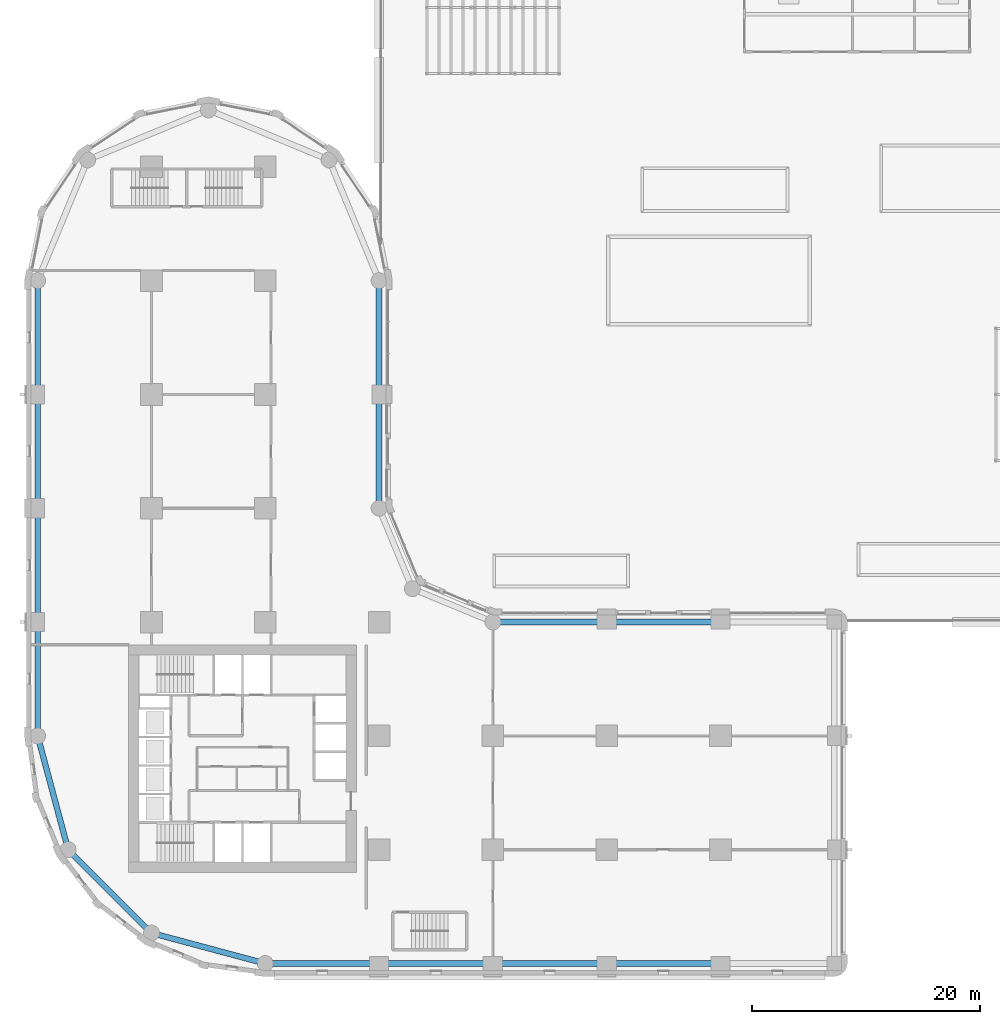
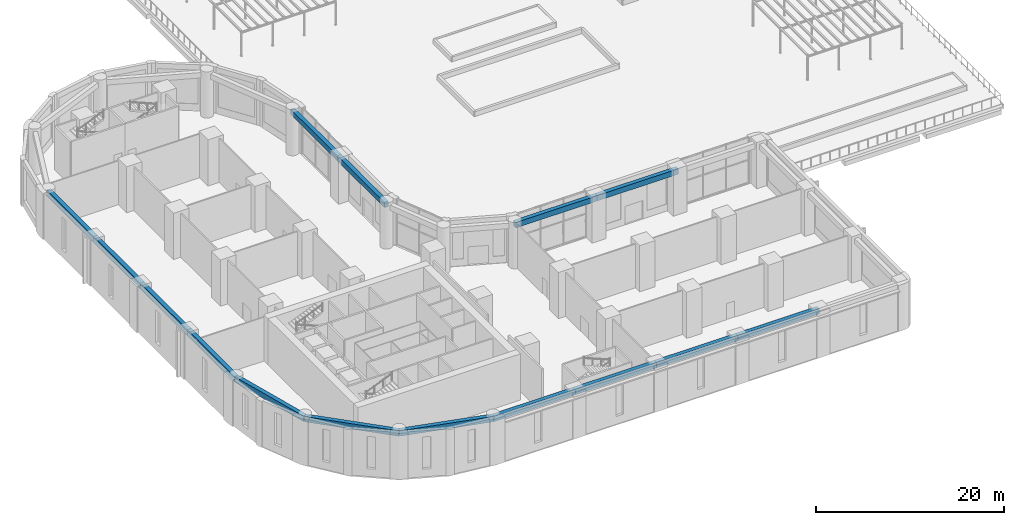
# One storey, part 5 of 28: 15 beams.
"""IFC4 building model written with IfcOpenShell, lengths in metres."""

import ifcopenshell
import ifcopenshell.guid

model = None  # the IFC model being written
_history = None  # IfcOwnerHistory: only IFC2X3 demands one
_inside = {}  # id of a spatial element -> (the spatial element, [elements in it])
_under = {}  # id of a project, library or spatial element -> (it, [spatial elements below it])
_declared = {}  # id of a project -> (the project, [libraries it declares])
_typed = {}  # id of a type object -> (the type object, [elements of that type])
_made_of = {}  # id of a material, layer set ... -> (it, [elements and type objects made of it])


def new_model(schema):
    """Start an empty IFC model of exactly this schema.

    Asked for "IFC4X3", IfcOpenShell would pick the latest addendum, in which some entities
    have other attributes; the version numbers below select the first issue.
    IFC2X3 requires an IfcOwnerHistory on every rooted entity: one is made here for all.
    """
    global model, _history
    if schema == "IFC4X3":
        model = ifcopenshell.file(schema_version=(4, 3, 0, 0))
    else:
        model = ifcopenshell.file(schema=schema)
    _inside.clear()
    _under.clear()
    _declared.clear()
    _typed.clear()
    _made_of.clear()
    _history = None
    if model.schema == "IFC2X3":
        org = make("IfcOrganization", Name="unknown")
        user = make(
            "IfcPersonAndOrganization",
            ThePerson=make("IfcPerson", FamilyName="unknown"),
            TheOrganization=org,
        )
        app = make(
            "IfcApplication",
            ApplicationDeveloper=org,
            Version="unknown",
            ApplicationFullName="unknown",
            ApplicationIdentifier="unknown",
        )
        _history = make(
            "IfcOwnerHistory",
            OwningUser=user,
            OwningApplication=app,
            ChangeAction="ADDED",
            CreationDate=0,
        )
    return model


def make(cls, **values):
    """One entity of the class cls with the attributes given. An attribute that is None is left unset."""
    return model.create_entity(
        cls, **{name: value for name, value in values.items() if value is not None}
    )


def rooted(cls, **values):
    """An entity with a GlobalId (a new one), such as an element, a storey or a relation."""
    return make(cls, GlobalId=ifcopenshell.guid.new(), OwnerHistory=_history, **values)


def si_unit(unit_type, name, prefix=None):
    """IfcSIUnit, for example si_unit("LENGTHUNIT", "METRE", prefix="MILLI")."""
    return make("IfcSIUnit", UnitType=unit_type, Prefix=prefix, Name=name)


def assignment(units):
    """IfcUnitAssignment: the units of a project."""
    return None if units is None else make("IfcUnitAssignment", Units=units)


def point(xyz):
    """IfcCartesianPoint."""
    return None if xyz is None else make("IfcCartesianPoint", Coordinates=xyz)


def direction(xyz):
    """IfcDirection."""
    return None if xyz is None else make("IfcDirection", DirectionRatios=xyz)


def frame(location, z_axis=None, x_axis=None):
    """IfcAxis2Placement3D, a coordinate frame: its origin and axes. An axis left out is left unset."""
    return make(
        "IfcAxis2Placement3D",
        Location=point(location),
        Axis=direction(z_axis),
        RefDirection=direction(x_axis),
    )


def frame_2d(location, x_axis=None):
    """IfcAxis2Placement2D, a coordinate frame in the plane: its origin and x axis."""
    return make(
        "IfcAxis2Placement2D", Location=point(location), RefDirection=direction(x_axis)
    )


def origin():
    """The frame at (0, 0, 0) with its axes left unset."""
    return frame((0.0, 0.0, 0.0))


def origin_2d():
    """The frame at (0, 0) in the plane with its x axis left unset."""
    return frame_2d((0.0, 0.0))


def place(relative_to, where):
    """IfcLocalPlacement: puts the frame where relative to a parent placement (None: the world)."""
    return make(
        "IfcLocalPlacement", PlacementRelTo=relative_to, RelativePlacement=where
    )


def context(
    kind, dimensions, precision=None, world=None, true_north=None, identifier=None
):
    """IfcGeometricRepresentationContext, for example the 3D "Model" context."""
    return make(
        "IfcGeometricRepresentationContext",
        ContextIdentifier=identifier,
        ContextType=kind,
        CoordinateSpaceDimension=dimensions,
        Precision=precision,
        WorldCoordinateSystem=world,
        TrueNorth=true_north,
    )


def subcontext(parent, identifier, kind, view, scale=None):
    """IfcGeometricRepresentationSubContext, for example "Body" below "Model"."""
    return make(
        "IfcGeometricRepresentationSubContext",
        ContextIdentifier=identifier,
        ContextType=kind,
        ParentContext=parent,
        TargetScale=scale,
        TargetView=view,
    )


def project(units=None, contexts=None):
    """IfcProject with its units and contexts."""
    return rooted(
        "IfcProject",
        Name="project",
        RepresentationContexts=contexts,
        UnitsInContext=assignment(units),
    )


def spatial(cls, under=None, at=None, **own):
    """A site, building, storey or space (cls), placed at a placement, below another one or the project."""
    s = rooted(cls, ObjectPlacement=at, **own)
    if under is not None:
        _under.setdefault(under.id(), (under, []))[1].append(s)
    return s


def profile(cls, at=None, kind="AREA", **sizes):
    """A parametric profile (cls). Its sizes go by their IFC names, for example OverallWidth=200.0."""
    return make(cls, ProfileType=kind, Position=at, **sizes)


def rectangle(**sizes):
    """IfcRectangleProfileDef."""
    return profile("IfcRectangleProfileDef", **sizes)


def extrude(swept, where, along, depth):
    """IfcExtrudedAreaSolid: the profile swept, set in the frame where, extruded along a direction by depth."""
    return make(
        "IfcExtrudedAreaSolid",
        SweptArea=swept,
        Position=where,
        ExtrudedDirection=direction(along),
        Depth=depth,
    )


def shape(context_of_items, identifier, shape_type, items):
    """IfcShapeRepresentation: the items that make up one representation, for example the "Body"."""
    return make(
        "IfcShapeRepresentation",
        ContextOfItems=context_of_items,
        RepresentationIdentifier=identifier,
        RepresentationType=shape_type,
        Items=items,
    )


def material(Name=None, Category=None):
    """IfcMaterial."""
    return make("IfcMaterial", Name=Name, Category=Category)


def material_profile(
    of_material, cross_section, Name=None, Category=None, Priority=None
):
    """IfcMaterialProfile: a cross section and its material."""
    return make(
        "IfcMaterialProfile",
        Name=Name,
        Material=of_material,
        Profile=cross_section,
        Priority=Priority,
        Category=Category,
    )


def profile_set(profiles, Name=None, composite=None):
    """IfcMaterialProfileSet."""
    return make(
        "IfcMaterialProfileSet",
        Name=Name,
        MaterialProfiles=profiles,
        CompositeProfile=composite,
    )


def made_of(thing, what):
    """Note that an element or type object is made of a material, layer set ...; save() writes the relation."""
    if what is not None:
        _made_of.setdefault(what.id(), (what, []))[1].append(thing)
    return thing


def type_object(cls, material=None, **own):
    """A type object (cls), such as IfcWallType, which elements share."""
    return made_of(rooted(cls, **own), material)


def element(
    cls,
    number,
    at=None,
    inside=None,
    cuts=None,
    type_object=None,
    material=None,
    context=None,
    identifier="Body",
    shape_type=None,
    held_by="IfcProductDefinitionShape",
    body=None,
    shapes=None,
    **own,
):
    """One element of the class cls, such as IfcWall. Its Tag is "e" and its number.

    at: its placement. inside: the storey or other place that contains it. cuts: it is an
    opening in that element (IfcRelVoidsElement). A single representation is given by context,
    identifier, shape_type and body (its items); several are given by shapes. held_by: the class
    of the entity that holds the representations. save() writes the other relations.
    """
    e = rooted(cls, Tag="e%d" % number, ObjectPlacement=at, **own)
    if body is not None:
        shapes = [shape(context, identifier, shape_type, body)]
    if shapes is not None:
        e.Representation = make(held_by, Representations=shapes)
    if inside is not None:
        _inside.setdefault(inside.id(), (inside, []))[1].append(e)
    if cuts is not None:
        rooted(
            "IfcRelVoidsElement", RelatingBuildingElement=cuts, RelatedOpeningElement=e
        )
    if type_object is not None:
        _typed.setdefault(type_object.id(), (type_object, []))[1].append(e)
    return made_of(e, material)


def aggregate(whole, parts):
    """IfcRelAggregates: a whole, such as a stair, and the parts it consists of."""
    return rooted("IfcRelAggregates", RelatingObject=whole, RelatedObjects=parts)


def save(model, path):
    """Write the relations noted so far, then the file.

    IfcRelAggregates (storeys below a building ...), IfcRelContainedInSpatialStructure (elements
    in a storey), IfcRelDefinesByType, IfcRelAssociatesMaterial and IfcRelDeclares: one each for
    every whole, place, type object, material and project.
    """
    for whole, parts in _under.values():
        aggregate(whole, parts)
    for where, things in _inside.values():
        rooted(
            "IfcRelContainedInSpatialStructure",
            RelatedElements=things,
            RelatingStructure=where,
        )
    for kind, things in _typed.values():
        rooted("IfcRelDefinesByType", RelatedObjects=things, RelatingType=kind)
    for what, things in _made_of.values():
        rooted("IfcRelAssociatesMaterial", RelatedObjects=things, RelatingMaterial=what)
    for by, libraries in _declared.values():
        rooted("IfcRelDeclares", RelatingContext=by, RelatedDefinitions=libraries)
    model.write(path)


model = new_model("IFC4")

# Units and contexts
model_context = context("Model", 3, precision=1e-05, world=origin(), true_north=direction((0.0, 1.0)))
body_context = subcontext(model_context, "Body", "Model", "MODEL_VIEW")
ifc_project = project(units=[si_unit("LENGTHUNIT", "METRE"), si_unit("AREAUNIT", "SQUARE_METRE"), si_unit("VOLUMEUNIT", "CUBIC_METRE"), si_unit("PLANEANGLEUNIT", "RADIAN"), si_unit("MASSUNIT", "GRAM", prefix="KILO")], contexts=[model_context])

# Site, building, storey
site_placement = place(None, origin())
site = spatial("IfcSite", under=ifc_project, at=site_placement, CompositionType="ELEMENT")
building_placement = place(site_placement, origin())
building = spatial("IfcBuilding", under=site, at=building_placement, Name="Qaws Garden Tower", CompositionType="ELEMENT")
storey_placement = place(building_placement, frame((0.0, 0.0, 6.0)))
storey = spatial("IfcBuildingStorey", under=building, at=storey_placement, Name="L01", CompositionType="ELEMENT", Elevation=6.0)

# Beams
ifc_material = material(Name="Concrete C45", Category="concrete")
ifc_material_profile = material_profile(ifc_material, rectangle(XDim=0.5, YDim=0.699951171875, at=origin_2d()), Name="RC 500x700")
ifc_profile_set = profile_set([ifc_material_profile], Name="Concrete C45")
beam_type = type_object("IfcBeamType", Name="Spandrel beam RC 500x700 C45", PredefinedType="SPANDREL", material=ifc_profile_set)
for number, where, z_axis, x_axis, name in (
    (1, (20.0, 0.0, 5.330078125), (1.0, 0.0, 0.0), (0.0, 1.0, 0.0), "Spandrel beam L01-001"),
    (2, (30.0, 0.0, 5.330078125), (1.0, 0.0, 0.0), (0.0, 1.0, 0.0), "Spandrel beam L01-002"),
    (3, (40.0, 0.0, 5.330078125), (1.0, 0.0, 0.0), (0.0, 1.0, 0.0), "Spandrel beam L01-003"),
    (4, (50.0, 0.0, 5.330078125), (1.0, 0.0, 0.0), (0.0, 1.0, 0.0), "Spandrel beam L01-004"),
    (5, (60.0, 30.0, 5.330078125), (-1.0, 0.0, 0.0), (0.0, -1.0, 0.0), "Spandrel beam L01-010"),
    (6, (50.0, 30.0, 5.330078125), (-1.0, 0.0, 0.0), (0.0, -1.0, 0.0), "Spandrel beam L01-011"),
    (7, (30.0, 40.0, 5.330078125), (0.0, 1.0, 0.0), (-1.0, 0.0, 0.0), "Spandrel beam L01-014"),
    (8, (30.0, 50.0, 5.330078125), (0.0, 1.0, 0.0), (-1.0, 0.0, 0.0), "Spandrel beam L01-015"),
    (9, (0.0, 60.0, 5.330078125), (0.0, -1.0, 0.0), (1.0, 0.0, 0.0), "Spandrel beam L01-020"),
    (10, (0.0, 50.0, 5.330078125), (0.0, -1.0, 0.0), (1.0, 0.0, 0.0), "Spandrel beam L01-021"),
    (11, (0.0, 40.0, 5.330078125), (0.0, -1.0, 0.0), (1.0, 0.0, 0.0), "Spandrel beam L01-022"),
    (12, (0.0, 30.0, 5.330078125), (0.0, -1.0, 0.0), (1.0, 0.0, 0.0), "Spandrel beam L01-023"),
):
    element("IfcBeam", number, at=place(storey_placement, frame(where, z_axis=z_axis, x_axis=x_axis)), inside=storey, type_object=beam_type, Name=name, PredefinedType="SPANDREL", context=body_context, shape_type="SweptSolid", body=[
        extrude(rectangle(XDim=0.5, YDim=0.699951171875, at=origin_2d()), origin(), (0.0, 0.0, 1.0), 10.0),
    ])
for number, where, z_axis, x_axis, name in (
    (13, (0.0, 20.0, 5.330078125), (0.25881466832, -0.965926999034, 0.0), (0.965926999034, 0.25881466832, 0.0), "Spandrel beam L01-024"),
    (14, (2.679443359375, 10.0, 5.330078125), (0.707106781187, -0.707106781187, 0.0), (0.707106781187, 0.707106781187, 0.0), "Spandrel beam L01-025"),
    (15, (10.0, 2.679443359375, 5.330078125), (0.965926999034, -0.25881466832, 0.0), (0.25881466832, 0.965926999034, 0.0), "Spandrel beam L01-026"),
):
    element("IfcBeam", number, at=place(storey_placement, frame(where, z_axis=z_axis, x_axis=x_axis)), inside=storey, type_object=beam_type, Name=name, PredefinedType="SPANDREL", context=body_context, shape_type="SweptSolid", body=[
        extrude(rectangle(XDim=0.5, YDim=0.699951171875, at=origin_2d()), origin(), (0.0, 0.0, 1.0), 10.352783203125),
    ])

save(model, "model.ifc")
